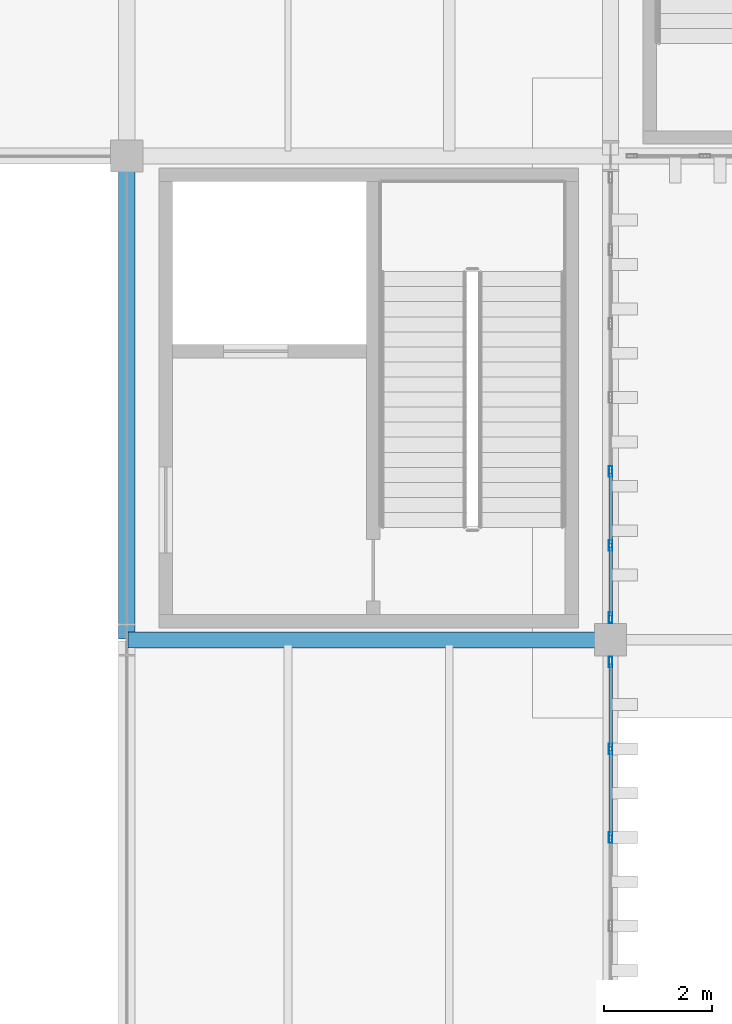
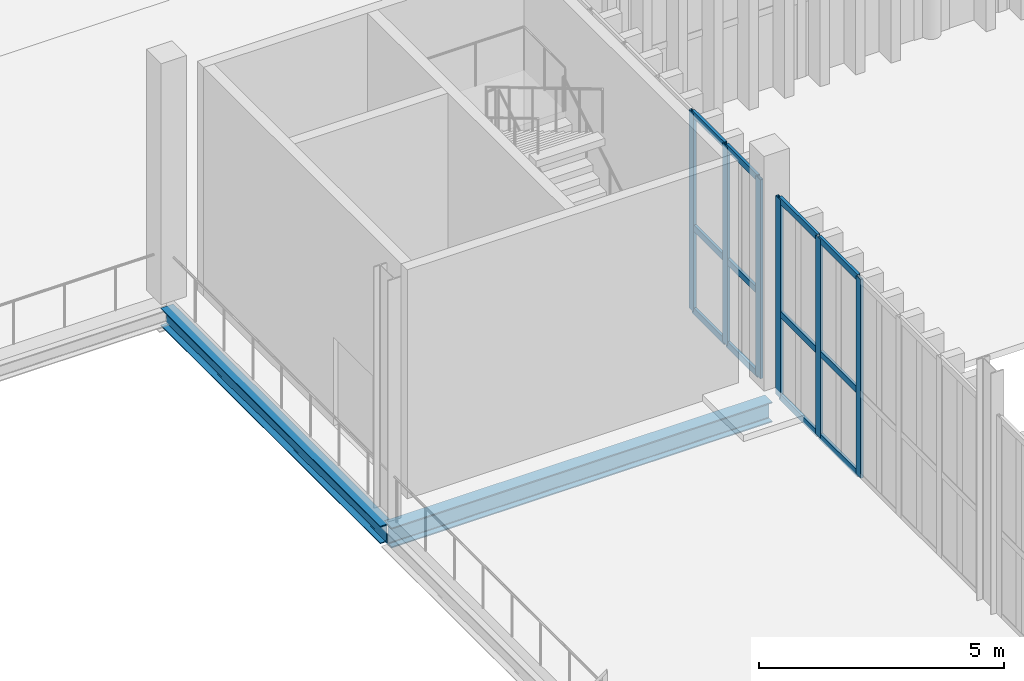
# One storey, part 53 of 211: 18 members, 2 beams, 2 elements without a shape of their own.
"""IFC4 building model written with IfcOpenShell, lengths in metres."""

from ifc_helpers import new_model, si_unit, direction, frame, origin, origin_2d, place, context, subcontext, project, spatial, hollow_rectangle, i_section, extrude, material, layer, layer_set, material_profile, profile_set, type_object, element, aggregate, save


model = new_model("IFC4")

# Units and contexts
model_context = context("Model", 3, precision=1e-05, world=origin(), true_north=direction((0.0, 1.0)))
body_context = subcontext(model_context, "Body", "Model", "MODEL_VIEW")
ifc_project = project(units=[si_unit("LENGTHUNIT", "METRE"), si_unit("AREAUNIT", "SQUARE_METRE"), si_unit("VOLUMEUNIT", "CUBIC_METRE"), si_unit("PLANEANGLEUNIT", "RADIAN"), si_unit("MASSUNIT", "GRAM", prefix="KILO")], contexts=[model_context])

# Site, building, storey
site_placement = place(None, origin())
site = spatial("IfcSite", under=ifc_project, at=site_placement, CompositionType="ELEMENT")
building_placement = place(site_placement, origin())
building = spatial("IfcBuilding", under=site, at=building_placement, Name="Barlavento Convention Centre", CompositionType="ELEMENT")
storey_placement = place(building_placement, frame((0.0, 0.0, 6.0)))
storey = spatial("IfcBuildingStorey", under=building, at=storey_placement, Name="L01", CompositionType="ELEMENT", Elevation=6.0)

# Curtain wall, members
ifc_material_1 = material(Name="Powder-coated aluminium and Low-E glass", Category="aluminium")
ifc_layer = layer(ifc_material_1, 0.18505859375)
ifc_layer_set = layer_set([ifc_layer], Name="ARC-CW-CONG-L01")
curtain_wall_type = type_object("IfcCurtainWallType", Name="ARC-CW-CONG-L01", PredefinedType="NOTDEFINED", material=ifc_layer_set)
curtain_wall_1_placement = place(storey_placement, origin())
curtain_wall_1 = element("IfcCurtainWall", 1, at=curtain_wall_1_placement, inside=storey, type_object=curtain_wall_type, Name="L01 unitised curtain wall CW01", PredefinedType="NOTDEFINED")
ifc_material_2 = material(Name="Powder-coated aluminium", Category="aluminium")
ifc_material_profile_1 = material_profile(ifc_material_2, hollow_rectangle(XDim=0.06494140625, YDim=0.199951171875, WallThickness=0.0048828125, at=origin_2d()), Name="AL-MULL 65x200x5")
ifc_profile_set_1 = profile_set([ifc_material_profile_1], Name="Powder-coated aluminium")
member_type_1 = type_object("IfcMemberType", Name="ARC-CWM-65X200", PredefinedType="MULLION", material=ifc_profile_set_1)
member_1_placement = place(storey_placement, frame((63.0, 32.323974609375, 0.0), z_axis=(0.0, 0.0, 1.0), x_axis=(-1.0, 0.0, 0.0)))
member_1 = element("IfcMember", 2, at=member_1_placement, type_object=member_type_1, Name="CW01 mullion 4", PredefinedType="MULLION", context=body_context, shape_type="SweptSolid", body=[
    extrude(hollow_rectangle(XDim=0.06494140625, YDim=0.199951171875, WallThickness=0.0048828125, at=origin_2d()), origin(), (0.0, 0.0, 1.0), 4.949951171875),
])
member_2_placement = place(storey_placement, frame((63.0, 33.971923828125, 0.0), z_axis=(0.0, 0.0, 1.0), x_axis=(-1.0, 0.0, 0.0)))
member_2 = element("IfcMember", 3, at=member_2_placement, type_object=member_type_1, Name="CW01 mullion 5", PredefinedType="MULLION", context=body_context, shape_type="SweptSolid", body=[
    extrude(hollow_rectangle(XDim=0.06494140625, YDim=0.199951171875, WallThickness=0.0048828125, at=origin_2d()), origin(), (0.0, 0.0, 1.0), 4.949951171875),
])
member_3_placement = place(storey_placement, frame((63.0, 35.58740234375, 0.0), z_axis=(0.0, 0.0, 1.0), x_axis=(-1.0, 0.0, 0.0)))
member_3 = element("IfcMember", 4, at=member_3_placement, type_object=member_type_1, Name="CW01 mullion 6", PredefinedType="MULLION", context=body_context, shape_type="SweptSolid", body=[
    extrude(hollow_rectangle(XDim=0.06494140625, YDim=0.199951171875, WallThickness=0.0048828125, at=origin_2d()), origin(), (0.0, 0.0, 1.0), 4.949951171875),
])

curtain_wall_2_placement = place(storey_placement, origin())
curtain_wall_2 = element("IfcCurtainWall", 5, at=curtain_wall_2_placement, inside=storey, type_object=curtain_wall_type, Name="L01 unitised curtain wall CW01", PredefinedType="NOTDEFINED")
member_4_placement = place(storey_placement, frame((63.0, 36.41259765625, 0.0), z_axis=(0.0, 0.0, 1.0), x_axis=(-1.0, 0.0, 0.0)))
member_4 = element("IfcMember", 6, at=member_4_placement, type_object=member_type_1, Name="CW01 mullion 1", PredefinedType="MULLION", context=body_context, shape_type="SweptSolid", body=[
    extrude(hollow_rectangle(XDim=0.06494140625, YDim=0.199951171875, WallThickness=0.0048828125, at=origin_2d()), origin(), (0.0, 0.0, 1.0), 4.949951171875),
])
member_5_placement = place(storey_placement, frame((63.0, 37.755615234375, 0.0), z_axis=(0.0, 0.0, 1.0), x_axis=(-1.0, 0.0, 0.0)))
member_5 = element("IfcMember", 7, at=member_5_placement, type_object=member_type_1, Name="CW01 mullion 2", PredefinedType="MULLION", context=body_context, shape_type="SweptSolid", body=[
    extrude(hollow_rectangle(XDim=0.06494140625, YDim=0.199951171875, WallThickness=0.0048828125, at=origin_2d()), origin(), (0.0, 0.0, 1.0), 4.949951171875),
])
member_6_placement = place(storey_placement, frame((63.0, 39.13134765625, 0.0), z_axis=(0.0, 0.0, 1.0), x_axis=(-1.0, 0.0, 0.0)))
member_6 = element("IfcMember", 8, at=member_6_placement, type_object=member_type_1, Name="CW01 mullion 3", PredefinedType="MULLION", context=body_context, shape_type="SweptSolid", body=[
    extrude(hollow_rectangle(XDim=0.06494140625, YDim=0.199951171875, WallThickness=0.0048828125, at=origin_2d()), origin(), (0.0, 0.0, 1.0), 4.949951171875),
])

# Member
ifc_material_profile_2 = material_profile(ifc_material_2, hollow_rectangle(XDim=0.06494140625, YDim=0.159912109375, WallThickness=0.0048828125, at=origin_2d()), Name="AL-TRAN 65x160x5")
ifc_profile_set_2 = profile_set([ifc_material_profile_2], Name="Powder-coated aluminium")
member_type_2 = type_object("IfcMemberType", Name="ARC-CWT-65X160", PredefinedType="USERDEFINED", material=ifc_profile_set_2)
member_7_placement = place(storey_placement, frame((63.0, 32.3564453125, 0.032470703125), z_axis=(0.0, 1.0, 0.0), x_axis=(-1.0, 0.0, 0.0)))
member_7 = element("IfcMember", 9, at=member_7_placement, type_object=member_type_2, Name="CW01 transom 4.1", ObjectType="TRANSOM", PredefinedType="USERDEFINED", context=body_context, shape_type="SweptSolid", body=[
    extrude(hollow_rectangle(XDim=0.06494140625, YDim=0.159912109375, WallThickness=0.0048828125, at=origin_2d()), origin(), (0.0, 0.0, 1.0), 1.5830078125),
])

member_8_placement = place(storey_placement, frame((63.0, 32.3564453125, 2.10009765625), z_axis=(0.0, 1.0, 0.0), x_axis=(-1.0, 0.0, 0.0)))
member_8 = element("IfcMember", 10, at=member_8_placement, type_object=member_type_2, Name="CW01 transom 4.2", ObjectType="TRANSOM", PredefinedType="USERDEFINED", context=body_context, shape_type="SweptSolid", body=[
    extrude(hollow_rectangle(XDim=0.06494140625, YDim=0.159912109375, WallThickness=0.0048828125, at=origin_2d()), origin(), (0.0, 0.0, 1.0), 1.5830078125),
])

member_9_placement = place(storey_placement, frame((63.0, 32.3564453125, 4.91748046875), z_axis=(0.0, 1.0, 0.0), x_axis=(-1.0, 0.0, 0.0)))
member_9 = element("IfcMember", 11, at=member_9_placement, type_object=member_type_2, Name="CW01 transom 4.3", ObjectType="TRANSOM", PredefinedType="USERDEFINED", context=body_context, shape_type="SweptSolid", body=[
    extrude(hollow_rectangle(XDim=0.06494140625, YDim=0.159912109375, WallThickness=0.0048828125, at=origin_2d()), origin(), (0.0, 0.0, 1.0), 1.5830078125),
])

member_10_placement = place(storey_placement, frame((63.0, 34.00439453125, 0.032470703125), z_axis=(0.0, 1.0, 0.0), x_axis=(-1.0, 0.0, 0.0)))
member_10 = element("IfcMember", 12, at=member_10_placement, type_object=member_type_2, Name="CW01 transom 5.1", ObjectType="TRANSOM", PredefinedType="USERDEFINED", context=body_context, shape_type="SweptSolid", body=[
    extrude(hollow_rectangle(XDim=0.06494140625, YDim=0.159912109375, WallThickness=0.0048828125, at=origin_2d()), origin(), (0.0, 0.0, 1.0), 1.550537109375),
])

member_11_placement = place(storey_placement, frame((63.0, 34.00439453125, 2.10009765625), z_axis=(0.0, 1.0, 0.0), x_axis=(-1.0, 0.0, 0.0)))
member_11 = element("IfcMember", 13, at=member_11_placement, type_object=member_type_2, Name="CW01 transom 5.2", ObjectType="TRANSOM", PredefinedType="USERDEFINED", context=body_context, shape_type="SweptSolid", body=[
    extrude(hollow_rectangle(XDim=0.06494140625, YDim=0.159912109375, WallThickness=0.0048828125, at=origin_2d()), origin(), (0.0, 0.0, 1.0), 1.550537109375),
])

member_12_placement = place(storey_placement, frame((63.0, 34.00439453125, 4.91748046875), z_axis=(0.0, 1.0, 0.0), x_axis=(-1.0, 0.0, 0.0)))
member_12 = element("IfcMember", 14, at=member_12_placement, type_object=member_type_2, Name="CW01 transom 5.3", ObjectType="TRANSOM", PredefinedType="USERDEFINED", context=body_context, shape_type="SweptSolid", body=[
    extrude(hollow_rectangle(XDim=0.06494140625, YDim=0.159912109375, WallThickness=0.0048828125, at=origin_2d()), origin(), (0.0, 0.0, 1.0), 1.550537109375),
])

aggregate(curtain_wall_1, [member_1, member_2, member_3, member_7, member_8, member_9, member_10, member_11, member_12])

member_13_placement = place(storey_placement, frame((63.0, 36.445068359375, 0.032470703125), z_axis=(0.0, 1.0, 0.0), x_axis=(-1.0, 0.0, 0.0)))
member_13 = element("IfcMember", 15, at=member_13_placement, type_object=member_type_2, Name="CW01 transom 1.1", ObjectType="TRANSOM", PredefinedType="USERDEFINED", context=body_context, shape_type="SweptSolid", body=[
    extrude(hollow_rectangle(XDim=0.06494140625, YDim=0.159912109375, WallThickness=0.0048828125, at=origin_2d()), origin(), (0.0, 0.0, 1.0), 1.278076171875),
])

member_14_placement = place(storey_placement, frame((63.0, 36.445068359375, 2.10009765625), z_axis=(0.0, 1.0, 0.0), x_axis=(-1.0, 0.0, 0.0)))
member_14 = element("IfcMember", 16, at=member_14_placement, type_object=member_type_2, Name="CW01 transom 1.2", ObjectType="TRANSOM", PredefinedType="USERDEFINED", context=body_context, shape_type="SweptSolid", body=[
    extrude(hollow_rectangle(XDim=0.06494140625, YDim=0.159912109375, WallThickness=0.0048828125, at=origin_2d()), origin(), (0.0, 0.0, 1.0), 1.278076171875),
])

member_15_placement = place(storey_placement, frame((63.0, 36.445068359375, 4.91748046875), z_axis=(0.0, 1.0, 0.0), x_axis=(-1.0, 0.0, 0.0)))
member_15 = element("IfcMember", 17, at=member_15_placement, type_object=member_type_2, Name="CW01 transom 1.3", ObjectType="TRANSOM", PredefinedType="USERDEFINED", context=body_context, shape_type="SweptSolid", body=[
    extrude(hollow_rectangle(XDim=0.06494140625, YDim=0.159912109375, WallThickness=0.0048828125, at=origin_2d()), origin(), (0.0, 0.0, 1.0), 1.278076171875),
])

member_16_placement = place(storey_placement, frame((63.0, 37.7880859375, 0.032470703125), z_axis=(0.0, 1.0, 0.0), x_axis=(-1.0, 0.0, 0.0)))
member_16 = element("IfcMember", 18, at=member_16_placement, type_object=member_type_2, Name="CW01 transom 2.1", ObjectType="TRANSOM", PredefinedType="USERDEFINED", context=body_context, shape_type="SweptSolid", body=[
    extrude(hollow_rectangle(XDim=0.06494140625, YDim=0.159912109375, WallThickness=0.0048828125, at=origin_2d()), origin(), (0.0, 0.0, 1.0), 1.310791015625),
])

member_17_placement = place(storey_placement, frame((63.0, 37.7880859375, 2.10009765625), z_axis=(0.0, 1.0, 0.0), x_axis=(-1.0, 0.0, 0.0)))
member_17 = element("IfcMember", 19, at=member_17_placement, type_object=member_type_2, Name="CW01 transom 2.2", ObjectType="TRANSOM", PredefinedType="USERDEFINED", context=body_context, shape_type="SweptSolid", body=[
    extrude(hollow_rectangle(XDim=0.06494140625, YDim=0.159912109375, WallThickness=0.0048828125, at=origin_2d()), origin(), (0.0, 0.0, 1.0), 1.310791015625),
])

member_18_placement = place(storey_placement, frame((63.0, 37.7880859375, 4.91748046875), z_axis=(0.0, 1.0, 0.0), x_axis=(-1.0, 0.0, 0.0)))
member_18 = element("IfcMember", 20, at=member_18_placement, type_object=member_type_2, Name="CW01 transom 2.3", ObjectType="TRANSOM", PredefinedType="USERDEFINED", context=body_context, shape_type="SweptSolid", body=[
    extrude(hollow_rectangle(XDim=0.06494140625, YDim=0.159912109375, WallThickness=0.0048828125, at=origin_2d()), origin(), (0.0, 0.0, 1.0), 1.310791015625),
])

aggregate(curtain_wall_2, [member_4, member_5, member_6, member_13, member_14, member_15, member_16, member_17, member_18])

# Beams
ifc_material_3 = material(Name="Steel S355", Category="steel")
ifc_material_profile_3 = material_profile(ifc_material_3, i_section(OverallWidth=0.300048828125, OverallDepth=0.43994140625, WebThickness=0.011474609375, FlangeThickness=0.02099609375, FilletRadius=0.027099609375, at=origin_2d()), Name="HEA 450")
ifc_profile_set_3 = profile_set([ifc_material_profile_3], Name="Steel S355")
beam_type_1 = type_object("IfcBeamType", Name="STR-BM-PRI-HEA450", PredefinedType="BEAM", material=ifc_profile_set_3)
beam_1_placement = place(storey_placement, frame((54.0, 36.02001953125, -0.52001953125), z_axis=(0.0, 1.0, 0.0), x_axis=(-1.0, 0.0, 0.0)))
element("IfcBeam", 21, at=beam_1_placement, inside=storey, type_object=beam_type_1, Name="L01 grid girder BG21", PredefinedType="BEAM", context=body_context, shape_type="SweptSolid", body=[
    extrude(i_section(OverallWidth=0.300048828125, OverallDepth=0.43994140625, WebThickness=0.011474609375, FlangeThickness=0.02099609375, FilletRadius=0.027099609375, at=origin_2d()), origin(), (0.0, 0.0, 1.0), 8.9599609375),
])
ifc_material_profile_4 = material_profile(ifc_material_3, i_section(OverallWidth=0.300048828125, OverallDepth=0.5, WebThickness=0.014404296875, FlangeThickness=0.028076171875, FilletRadius=0.027099609375, at=origin_2d()), Name="HEB 500")
ifc_profile_set_4 = profile_set([ifc_material_profile_4], Name="Steel S355")
beam_type_2 = type_object("IfcBeamType", Name="STR-BM-PRI-HEB500", PredefinedType="BEAM", material=ifc_profile_set_4)
beam_2_placement = place(storey_placement, frame((54.02001953125, 36.0, -0.550048828125), z_axis=(1.0, 0.0, 0.0), x_axis=(0.0, 1.0, 0.0)))
element("IfcBeam", 22, at=beam_2_placement, inside=storey, type_object=beam_type_2, Name="L01 primary girder BG09", PredefinedType="BEAM", context=body_context, shape_type="SweptSolid", body=[
    extrude(i_section(OverallWidth=0.300048828125, OverallDepth=0.5, WebThickness=0.014404296875, FlangeThickness=0.028076171875, FilletRadius=0.027099609375, at=origin_2d()), origin(), (0.0, 0.0, 1.0), 8.9599609375),
])

save(model, "model.ifc")
